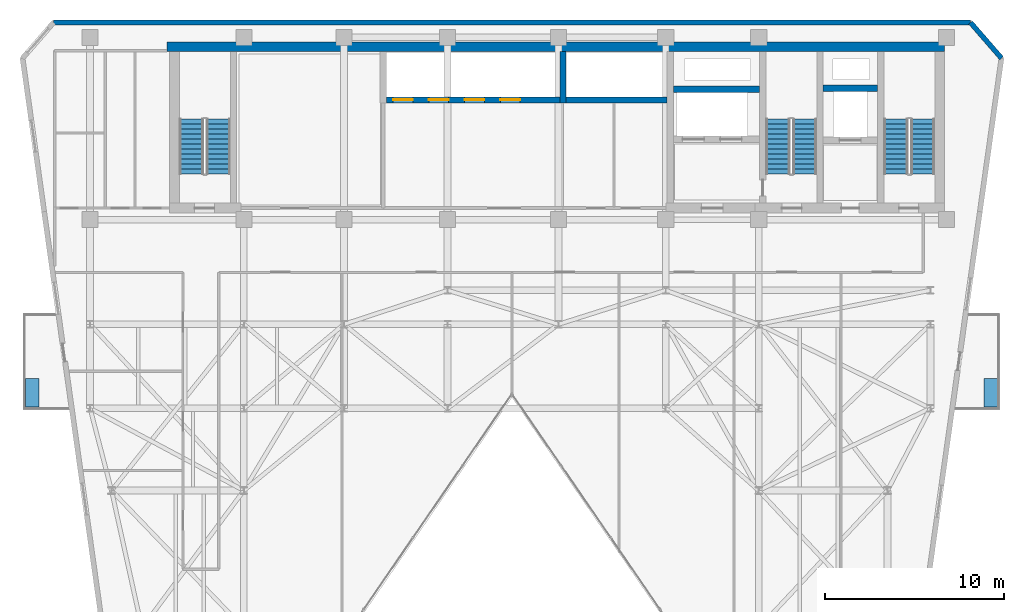
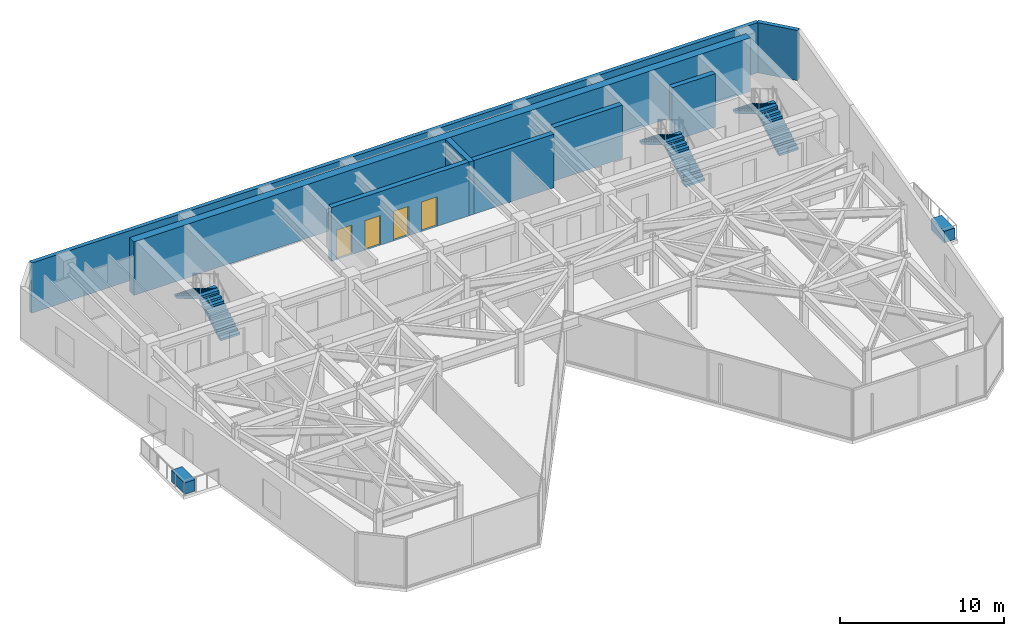
# One storey, part 18 of 21: 8 walls, 6 stair flights, 4 doors, 2 discrete accessories, 4 openings, 3 elements without a shape of their own.
"""IFC4 building model written with IfcOpenShell, lengths in metres."""

from ifc_helpers import new_model, si_unit, direction, frame, frame_2d, origin, origin_2d, place, context, subcontext, project, spatial, polyline, rectangle, outline, extrude, material, layer, layer_set, type_object, element, fill, aggregate, save


model = new_model("IFC4")

# Units and contexts
model_context = context("Model", 3, precision=1e-05, world=origin(), true_north=direction((0.0, 1.0)))
body_context = subcontext(model_context, "Body", "Model", "MODEL_VIEW")
ifc_project = project(units=[si_unit("LENGTHUNIT", "METRE"), si_unit("AREAUNIT", "SQUARE_METRE"), si_unit("VOLUMEUNIT", "CUBIC_METRE"), si_unit("PLANEANGLEUNIT", "RADIAN"), si_unit("MASSUNIT", "GRAM", prefix="KILO")], contexts=[model_context])

# Site, building, storey
site_placement = place(None, origin())
site = spatial("IfcSite", under=ifc_project, at=site_placement, CompositionType="ELEMENT")
building_placement = place(site_placement, origin())
building = spatial("IfcBuilding", under=site, at=building_placement, Name="Kravanh Interchange Tower", CompositionType="ELEMENT")
storey_placement = place(building_placement, frame((0.0, 0.0, 216.5)))
storey = spatial("IfcBuildingStorey", under=building, at=storey_placement, Name="L52", CompositionType="ELEMENT", Elevation=216.5)

# Walls
ifc_material_1 = material(Name="Concrete C60/75", Category="concrete")
ifc_layer_1 = layer(ifc_material_1, 0.35009765625)
ifc_layer_set_1 = layer_set([ifc_layer_1], Name="Core Shear Wall Concrete C60/75 350mm")
wall_type_1 = type_object("IfcWallType", Name="Core Shear Wall Concrete C60/75 350mm", PredefinedType="SHEAR", material=ifc_layer_set_1)
wall_1_placement = place(storey_placement, frame((59.60009765625, 44.699951171875, 0.0), z_axis=(0.0, 0.0, 1.0), x_axis=(1.0, 0.0, 0.0)))
element("IfcWall", 1, at=wall_1_placement, inside=storey, type_object=wall_type_1, Name="L52 Service Lift Shaft North Wall", PredefinedType="SHEAR", context=body_context, shape_type="SweptSolid", body=[
    extrude(rectangle(XDim=3.0498046875, YDim=0.35009765625, at=frame_2d((1.52490234375, 0.0))), origin(), (0.0, 0.0, 1.0), 4.0),
])
wall_2_placement = place(storey_placement, frame((51.22509765625, 44.64990234375, 0.0), z_axis=(0.0, 0.0, 1.0), x_axis=(1.0, 0.0, 0.0)))
element("IfcWall", 2, at=wall_2_placement, inside=storey, type_object=wall_type_1, Name="L52 Fire Lift Shaft North Wall", PredefinedType="SHEAR", context=body_context, shape_type="SweptSolid", body=[
    extrude(rectangle(XDim=4.824951171875, YDim=0.35009765625, at=frame_2d((2.41259765625, 0.0))), origin(), (0.0, 0.0, 1.0), 4.0),
])
wall_3_placement = place(storey_placement, frame((45.22509765625, 44.050048828125, 0.0), z_axis=(0.0, 0.0, 1.0), x_axis=(1.0, 0.0, 0.0)))
element("IfcWall", 3, at=wall_3_placement, inside=storey, type_object=wall_type_1, Name="L52 High-Rise Lift Shaft South Wall", PredefinedType="SHEAR", context=body_context, shape_type="SweptSolid", body=[
    extrude(rectangle(XDim=5.64990234375, YDim=0.35009765625, at=frame_2d((2.824951171875, 0.0))), origin(), (0.0, 0.0, 1.0), 4.0),
])
wall_4_placement = place(storey_placement, frame((45.050048828125, 43.875, 0.0), z_axis=(0.0, 0.0, 1.0), x_axis=(0.0, 1.0, 0.0)))
element("IfcWall", 4, at=wall_4_placement, inside=storey, type_object=wall_type_1, Name="L52 High-Rise Lift Shaft West Wall", PredefinedType="SHEAR", context=body_context, shape_type="SweptSolid", body=[
    extrude(rectangle(XDim=2.875, YDim=0.35009765625, at=frame_2d((1.4375, 0.0))), origin(), (0.0, 0.0, 1.0), 4.0),
])

# Wall, openings, doors
wall_5_placement = place(storey_placement, frame((35.175048828125, 44.050048828125, 0.0), z_axis=(0.0, 0.0, 1.0), x_axis=(1.0, 0.0, 0.0)))
wall_5 = element("IfcWall", 5, at=wall_5_placement, inside=storey, type_object=wall_type_1, Name="L52 Mid-Rise Lift Shaft South Wall", PredefinedType="SHEAR", context=body_context, shape_type="SweptSolid", body=[
    extrude(rectangle(XDim=9.699951171875, YDim=0.35009765625, at=frame_2d((4.85009765625, 0.0))), origin(), (0.0, 0.0, 1.0), 4.0),
])
opening_1_placement = place(wall_5_placement, frame((0.375, 0.0, 0.0)))
opening_1 = element("IfcOpeningElement", 6, at=opening_1_placement, cuts=wall_5, Name="Opening LD01", PredefinedType="OPENING", context=body_context, shape_type="SweptSolid", body=[
    extrude(rectangle(XDim=1.10009765625, YDim=2.199951171875, at=frame_2d((0.550048828125, 1.10009765625))), frame((0.0, 0.18505859375, 0.0), z_axis=(0.0, -1.0, 0.0), x_axis=(1.0, 0.0, 0.0)), (0.0, 0.0, 1.0), 0.3701171875),
])
opening_2_placement = place(wall_5_placement, frame((2.375, 0.0, 0.0)))
opening_2 = element("IfcOpeningElement", 7, at=opening_2_placement, cuts=wall_5, Name="Opening LD01", PredefinedType="OPENING", context=body_context, shape_type="SweptSolid", body=[
    extrude(rectangle(XDim=1.10009765625, YDim=2.199951171875, at=frame_2d((0.550048828125, 1.10009765625))), frame((0.0, 0.18505859375, 0.0), z_axis=(0.0, -1.0, 0.0), x_axis=(1.0, 0.0, 0.0)), (0.0, 0.0, 1.0), 0.3701171875),
])
opening_3_placement = place(wall_5_placement, frame((4.375, 0.0, 0.0)))
opening_3 = element("IfcOpeningElement", 8, at=opening_3_placement, cuts=wall_5, Name="Opening LD01", PredefinedType="OPENING", context=body_context, shape_type="SweptSolid", body=[
    extrude(rectangle(XDim=1.10009765625, YDim=2.199951171875, at=frame_2d((0.550048828125, 1.10009765625))), frame((0.0, 0.18505859375, 0.0), z_axis=(0.0, -1.0, 0.0), x_axis=(1.0, 0.0, 0.0)), (0.0, 0.0, 1.0), 0.3701171875),
])
opening_4_placement = place(wall_5_placement, frame((6.375, 0.0, 0.0)))
opening_4 = element("IfcOpeningElement", 9, at=opening_4_placement, cuts=wall_5, Name="Opening LD01", PredefinedType="OPENING", context=body_context, shape_type="SweptSolid", body=[
    extrude(rectangle(XDim=1.10009765625, YDim=2.199951171875, at=frame_2d((0.550048828125, 1.10009765625))), frame((0.0, 0.18505859375, 0.0), z_axis=(0.0, -1.0, 0.0), x_axis=(1.0, 0.0, 0.0)), (0.0, 0.0, 1.0), 0.3701171875),
])
ifc_material_2 = material(Name="Stainless Steel 304", Category="steel")
door_type = type_object("IfcDoorType", Name="Passenger Lift Sliding Landing Door 1100x2200", OperationType="DOUBLE_DOOR_SLIDING", PredefinedType="DOOR", material=ifc_material_2)
door_1_placement = place(opening_1_placement, origin())
door_1 = element("IfcDoor", 10, at=door_1_placement, inside=storey, type_object=door_type, Name="L52 Lift LP-M1 Landing Door", OperationType="DOUBLE_DOOR_SLIDING", OverallHeight=2.199951171875, OverallWidth=1.10009765625, PredefinedType="DOOR", context=body_context, shape_type="SweptSolid", body=[
    extrude(rectangle(XDim=1.10009765625, YDim=2.199951171875, at=frame_2d((0.550048828125, 1.10009765625))), frame((0.0, 0.02490234375, 0.0), z_axis=(0.0, -1.0, 0.0), x_axis=(1.0, 0.0, 0.0)), (0.0, 0.0, 1.0), 0.050048828125),
])
fill(opening_1, door_1)
door_2_placement = place(opening_2_placement, origin())
door_2 = element("IfcDoor", 11, at=door_2_placement, inside=storey, type_object=door_type, Name="L52 Lift LP-M2 Landing Door", OperationType="DOUBLE_DOOR_SLIDING", OverallHeight=2.199951171875, OverallWidth=1.10009765625, PredefinedType="DOOR", context=body_context, shape_type="SweptSolid", body=[
    extrude(rectangle(XDim=1.10009765625, YDim=2.199951171875, at=frame_2d((0.550048828125, 1.10009765625))), frame((0.0, 0.02490234375, 0.0), z_axis=(0.0, -1.0, 0.0), x_axis=(1.0, 0.0, 0.0)), (0.0, 0.0, 1.0), 0.050048828125),
])
fill(opening_2, door_2)
door_3_placement = place(opening_3_placement, origin())
door_3 = element("IfcDoor", 12, at=door_3_placement, inside=storey, type_object=door_type, Name="L52 Lift LP-M3 Landing Door", OperationType="DOUBLE_DOOR_SLIDING", OverallHeight=2.199951171875, OverallWidth=1.10009765625, PredefinedType="DOOR", context=body_context, shape_type="SweptSolid", body=[
    extrude(rectangle(XDim=1.10009765625, YDim=2.199951171875, at=frame_2d((0.550048828125, 1.10009765625))), frame((0.0, 0.02490234375, 0.0), z_axis=(0.0, -1.0, 0.0), x_axis=(1.0, 0.0, 0.0)), (0.0, 0.0, 1.0), 0.050048828125),
])
fill(opening_3, door_3)
door_4_placement = place(opening_4_placement, origin())
door_4 = element("IfcDoor", 13, at=door_4_placement, inside=storey, type_object=door_type, Name="L52 Lift LP-M4 Landing Door", OperationType="DOUBLE_DOOR_SLIDING", OverallHeight=2.199951171875, OverallWidth=1.10009765625, PredefinedType="DOOR", context=body_context, shape_type="SweptSolid", body=[
    extrude(rectangle(XDim=1.10009765625, YDim=2.199951171875, at=frame_2d((0.550048828125, 1.10009765625))), frame((0.0, 0.02490234375, 0.0), z_axis=(0.0, -1.0, 0.0), x_axis=(1.0, 0.0, 0.0)), (0.0, 0.0, 1.0), 0.050048828125),
])
fill(opening_4, door_4)

# Walls
ifc_material_3 = material(Name="Concrete C70/85", Category="concrete")
ifc_layer_2 = layer(ifc_material_3, 0.550048828125)
ifc_layer_set_2 = layer_set([ifc_layer_2], Name="Core Shear Wall Concrete C70/85 550mm")
wall_type_2 = type_object("IfcWallType", Name="Core Shear Wall Concrete C70/85 550mm", PredefinedType="SHEAR", material=ifc_layer_set_2)
wall_6_placement = place(storey_placement, frame((22.89990234375, 47.02490234375, 0.0), z_axis=(0.0, 0.0, 1.0), x_axis=(1.0, 0.0, 0.0)))
element("IfcWall", 14, at=wall_6_placement, inside=storey, type_object=wall_type_2, Name="L52 North Core Shear Wall", PredefinedType="SHEAR", context=body_context, shape_type="SweptSolid", body=[
    extrude(rectangle(XDim=43.5, YDim=0.550048828125, at=frame_2d((21.75, 0.0))), origin(), (0.0, 0.0, 1.0), 4.0),
])
ifc_material_4 = material(Name="Insulated Precast Concrete C40/50 with Bronze Cladding", Category="concrete")
ifc_layer_3 = layer(ifc_material_4, 0.280029296875)
ifc_layer_set_3 = layer_set([ifc_layer_3], Name="Exterior Insulated Concrete C40/50 Bronze Spandrel Wall 280mm")
wall_type_3 = type_object("IfcWallType", Name="Exterior Insulated Concrete C40/50 Bronze Spandrel Wall 280mm", PredefinedType="STANDARD", material=ifc_layer_set_3)
wall_7_placement = place(storey_placement, frame((16.5546875, 48.3798828125, 0.0), z_axis=(0.0, 0.0, 1.0), x_axis=(1.0, 0.0, 0.0)))
element("IfcWall", 15, at=wall_7_placement, inside=storey, type_object=wall_type_3, Name="L52 Exterior Wall 4", PredefinedType="STANDARD", context=body_context, shape_type="SweptSolid", body=[
    extrude(rectangle(XDim=51.29052734375, YDim=0.280029296875, at=frame_2d((25.645263671875, 0.0))), origin(), (0.0, 0.0, 1.0), 3.7451171875),
])
wall_8_placement = place(storey_placement, frame((67.84521484375, 48.3798828125, 0.0), z_axis=(0.0, 0.0, 1.0), x_axis=(0.656071351282, -0.754698868442, 0.0)))
element("IfcWall", 16, at=wall_8_placement, inside=storey, type_object=wall_type_3, Name="L52 Exterior Wall 5", PredefinedType="STANDARD", context=body_context, shape_type="SweptSolid", body=[
    extrude(rectangle(XDim=2.646240234375, YDim=0.280029296875, at=frame_2d((1.3232421875, 0.0))), origin(), (0.0, 0.0, 1.0), 3.7451171875),
])

# Stair, stair flights
ifc_material_5 = material(Name="Concrete C50/60", Category="concrete")
stair_type = type_object("IfcStairType", Name="Core Fire Exit Dogleg Stair Concrete C50/60", PredefinedType="HALF_TURN_STAIR", material=ifc_material_5)
stair_1_placement = place(storey_placement, origin())
stair_1 = element("IfcStair", 17, at=stair_1_placement, inside=storey, type_object=stair_type, Name="L52 Exit Stair ST1", PredefinedType="HALF_TURN_STAIR")
ifc_material_6 = material(Name="Precast Concrete C50/60", Category="concrete")
ifc_layer_4 = layer(ifc_material_6, 0.199951171875)
ifc_layer_set_4 = layer_set([ifc_layer_4], Name="Precast Concrete C50/60 Stair Flight 1350mm")
stair_flight_type = type_object("IfcStairFlightType", Name="Precast Concrete C50/60 Stair Flight 1350mm", PredefinedType="STRAIGHT", material=ifc_layer_set_4)
stair_flight_1_placement = place(storey_placement, frame((65.175048828125, 39.89990234375, 0.0), z_axis=(0.0, 0.0, 1.0), x_axis=(0.0, 1.0, 0.0)))
stair_flight_1 = element("IfcStairFlight", 18, at=stair_flight_1_placement, type_object=stair_flight_type, Name="ST1 flight 1", NumberOfRisers=12, NumberOfTreads=11, PredefinedType="STRAIGHT", RiserHeight=0.166666667, TreadLength=0.28, context=body_context, shape_type="SweptSolid", body=[
    extrude(outline(polyline([(0.0, 0.0), (0.0, 0.166748046875), (0.280029296875, 0.166748046875), (0.280029296875, 0.333251953125), (0.56005859375, 0.333251953125), (0.56005859375, 0.5), (0.840087890625, 0.5), (0.840087890625, 0.666748046875), (1.1201171875, 0.666748046875), (1.1201171875, 0.833251953125), (1.39990234375, 0.833251953125), (1.39990234375, 1.0), (1.679931640625, 1.0), (1.679931640625, 1.166748046875), (1.9599609375, 1.166748046875), (1.9599609375, 1.333251953125), (2.239990234375, 1.333251953125), (2.239990234375, 1.5), (2.52001953125, 1.5), (2.52001953125, 1.666748046875), (2.800048828125, 1.666748046875), (2.800048828125, 1.833251953125), (3.080078125, 1.833251953125), (3.080078125, 2.0), (3.080078125, 1.658935546875), (0.29296875, 0.0), (0.0, 0.0)])), frame((0.0, 0.675048828125, 0.0), z_axis=(0.0, -1.0, 0.0), x_axis=(1.0, 0.0, 0.0)), (0.0, 0.0, 1.0), 1.35009765625),
])
stair_flight_2_placement = place(storey_placement, frame((63.675048828125, 42.97998046875, 2.0), z_axis=(0.0, 0.0, 1.0), x_axis=(0.0, -1.0, 0.0)))
stair_flight_2 = element("IfcStairFlight", 19, at=stair_flight_2_placement, type_object=stair_flight_type, Name="ST1 flight 2", NumberOfRisers=12, NumberOfTreads=11, PredefinedType="STRAIGHT", RiserHeight=0.166666667, TreadLength=0.28, context=body_context, shape_type="SweptSolid", body=[
    extrude(outline(polyline([(0.0, 0.0), (0.0, 0.166748046875), (0.280029296875, 0.166748046875), (0.280029296875, 0.333251953125), (0.56005859375, 0.333251953125), (0.56005859375, 0.5), (0.840087890625, 0.5), (0.840087890625, 0.666748046875), (1.1201171875, 0.666748046875), (1.1201171875, 0.833251953125), (1.39990234375, 0.833251953125), (1.39990234375, 1.0), (1.679931640625, 1.0), (1.679931640625, 1.166748046875), (1.9599609375, 1.166748046875), (1.9599609375, 1.333251953125), (2.239990234375, 1.333251953125), (2.239990234375, 1.5), (2.52001953125, 1.5), (2.52001953125, 1.666748046875), (2.800048828125, 1.666748046875), (2.800048828125, 1.833251953125), (3.080078125, 1.833251953125), (3.080078125, 2.0), (3.080078125, 1.658935546875), (0.29296875, 0.0), (0.0, 0.0)])), frame((0.0, 0.675048828125, 0.0), z_axis=(0.0, -1.0, 0.0), x_axis=(1.0, 0.0, 0.0)), (0.0, 0.0, 1.0), 1.35009765625),
])
aggregate(stair_1, [stair_flight_1, stair_flight_2])

stair_2_placement = place(storey_placement, origin())
stair_2 = element("IfcStair", 20, at=stair_2_placement, inside=storey, type_object=stair_type, Name="L52 Exit Stair ST2", PredefinedType="HALF_TURN_STAIR")
stair_flight_3_placement = place(storey_placement, frame((58.574951171875, 39.89990234375, 0.0), z_axis=(0.0, 0.0, 1.0), x_axis=(0.0, 1.0, 0.0)))
stair_flight_3 = element("IfcStairFlight", 21, at=stair_flight_3_placement, type_object=stair_flight_type, Name="ST2 flight 1", NumberOfRisers=12, NumberOfTreads=11, PredefinedType="STRAIGHT", RiserHeight=0.166666667, TreadLength=0.28, context=body_context, shape_type="SweptSolid", body=[
    extrude(outline(polyline([(0.0, 0.0), (0.0, 0.166748046875), (0.280029296875, 0.166748046875), (0.280029296875, 0.333251953125), (0.56005859375, 0.333251953125), (0.56005859375, 0.5), (0.840087890625, 0.5), (0.840087890625, 0.666748046875), (1.1201171875, 0.666748046875), (1.1201171875, 0.833251953125), (1.39990234375, 0.833251953125), (1.39990234375, 1.0), (1.679931640625, 1.0), (1.679931640625, 1.166748046875), (1.9599609375, 1.166748046875), (1.9599609375, 1.333251953125), (2.239990234375, 1.333251953125), (2.239990234375, 1.5), (2.52001953125, 1.5), (2.52001953125, 1.666748046875), (2.800048828125, 1.666748046875), (2.800048828125, 1.833251953125), (3.080078125, 1.833251953125), (3.080078125, 2.0), (3.080078125, 1.658935546875), (0.29296875, 0.0), (0.0, 0.0)])), frame((0.0, 0.675048828125, 0.0), z_axis=(0.0, -1.0, 0.0), x_axis=(1.0, 0.0, 0.0)), (0.0, 0.0, 1.0), 1.35009765625),
])
stair_flight_4_placement = place(storey_placement, frame((57.074951171875, 42.97998046875, 2.0), z_axis=(0.0, 0.0, 1.0), x_axis=(0.0, -1.0, 0.0)))
stair_flight_4 = element("IfcStairFlight", 22, at=stair_flight_4_placement, type_object=stair_flight_type, Name="ST2 flight 2", NumberOfRisers=12, NumberOfTreads=11, PredefinedType="STRAIGHT", RiserHeight=0.166666667, TreadLength=0.28, context=body_context, shape_type="SweptSolid", body=[
    extrude(outline(polyline([(0.0, 0.0), (0.0, 0.166748046875), (0.280029296875, 0.166748046875), (0.280029296875, 0.333251953125), (0.56005859375, 0.333251953125), (0.56005859375, 0.5), (0.840087890625, 0.5), (0.840087890625, 0.666748046875), (1.1201171875, 0.666748046875), (1.1201171875, 0.833251953125), (1.39990234375, 0.833251953125), (1.39990234375, 1.0), (1.679931640625, 1.0), (1.679931640625, 1.166748046875), (1.9599609375, 1.166748046875), (1.9599609375, 1.333251953125), (2.239990234375, 1.333251953125), (2.239990234375, 1.5), (2.52001953125, 1.5), (2.52001953125, 1.666748046875), (2.800048828125, 1.666748046875), (2.800048828125, 1.833251953125), (3.080078125, 1.833251953125), (3.080078125, 2.0), (3.080078125, 1.658935546875), (0.29296875, 0.0), (0.0, 0.0)])), frame((0.0, 0.675048828125, 0.0), z_axis=(0.0, -1.0, 0.0), x_axis=(1.0, 0.0, 0.0)), (0.0, 0.0, 1.0), 1.35009765625),
])
aggregate(stair_2, [stair_flight_3, stair_flight_4])

stair_3_placement = place(storey_placement, origin())
stair_3 = element("IfcStair", 23, at=stair_3_placement, inside=storey, type_object=stair_type, Name="L52 Exit Stair ST3", PredefinedType="HALF_TURN_STAIR")
stair_flight_5_placement = place(storey_placement, frame((25.77490234375, 39.89990234375, 0.0), z_axis=(0.0, 0.0, 1.0), x_axis=(0.0, 1.0, 0.0)))
stair_flight_5 = element("IfcStairFlight", 24, at=stair_flight_5_placement, type_object=stair_flight_type, Name="ST3 flight 1", NumberOfRisers=12, NumberOfTreads=11, PredefinedType="STRAIGHT", RiserHeight=0.166666667, TreadLength=0.28, context=body_context, shape_type="SweptSolid", body=[
    extrude(outline(polyline([(0.0, 0.0), (0.0, 0.166748046875), (0.280029296875, 0.166748046875), (0.280029296875, 0.333251953125), (0.56005859375, 0.333251953125), (0.56005859375, 0.5), (0.840087890625, 0.5), (0.840087890625, 0.666748046875), (1.1201171875, 0.666748046875), (1.1201171875, 0.833251953125), (1.39990234375, 0.833251953125), (1.39990234375, 1.0), (1.679931640625, 1.0), (1.679931640625, 1.166748046875), (1.9599609375, 1.166748046875), (1.9599609375, 1.333251953125), (2.239990234375, 1.333251953125), (2.239990234375, 1.5), (2.52001953125, 1.5), (2.52001953125, 1.666748046875), (2.800048828125, 1.666748046875), (2.800048828125, 1.833251953125), (3.080078125, 1.833251953125), (3.080078125, 2.0), (3.080078125, 1.658935546875), (0.29296875, 0.0), (0.0, 0.0)])), frame((0.0, 0.675048828125, 0.0), z_axis=(0.0, -1.0, 0.0), x_axis=(1.0, 0.0, 0.0)), (0.0, 0.0, 1.0), 1.35009765625),
])
stair_flight_6_placement = place(storey_placement, frame((24.27490234375, 42.97998046875, 2.0), z_axis=(0.0, 0.0, 1.0), x_axis=(0.0, -1.0, 0.0)))
stair_flight_6 = element("IfcStairFlight", 25, at=stair_flight_6_placement, type_object=stair_flight_type, Name="ST3 flight 2", NumberOfRisers=12, NumberOfTreads=11, PredefinedType="STRAIGHT", RiserHeight=0.166666667, TreadLength=0.28, context=body_context, shape_type="SweptSolid", body=[
    extrude(outline(polyline([(0.0, 0.0), (0.0, 0.166748046875), (0.280029296875, 0.166748046875), (0.280029296875, 0.333251953125), (0.56005859375, 0.333251953125), (0.56005859375, 0.5), (0.840087890625, 0.5), (0.840087890625, 0.666748046875), (1.1201171875, 0.666748046875), (1.1201171875, 0.833251953125), (1.39990234375, 0.833251953125), (1.39990234375, 1.0), (1.679931640625, 1.0), (1.679931640625, 1.166748046875), (1.9599609375, 1.166748046875), (1.9599609375, 1.333251953125), (2.239990234375, 1.333251953125), (2.239990234375, 1.5), (2.52001953125, 1.5), (2.52001953125, 1.666748046875), (2.800048828125, 1.666748046875), (2.800048828125, 1.833251953125), (3.080078125, 1.833251953125), (3.080078125, 2.0), (3.080078125, 1.658935546875), (0.29296875, 0.0), (0.0, 0.0)])), frame((0.0, 0.675048828125, 0.0), z_axis=(0.0, -1.0, 0.0), x_axis=(1.0, 0.0, 0.0)), (0.0, 0.0, 1.0), 1.35009765625),
])
aggregate(stair_3, [stair_flight_5, stair_flight_6])

# Discrete accessories
ifc_material_7 = material(Name="Architectural GRC Concrete C40/50 with Root Barrier", Category="concrete")
discrete_accessory_type = type_object("IfcDiscreteAccessoryType", Name="Structural Balcony Tree Planter Box Concrete C40/50 1600x750x850", PredefinedType="USERDEFINED", material=ifc_material_7)
for number, where, z_axis, x_axis, name in (
    (26, (68.969970703125, 27.659912109375, 0.0), (0.0, 0.0, 1.0), (1.0, 0.0, 0.0), "L52 E Balcony TREE PLANTER"),
    (27, (15.373046875, 27.659912109375, 0.0), (0.0, 0.0, 1.0), (1.0, 0.0, 0.0), "L52 W Balcony TREE PLANTER"),
):
    element("IfcDiscreteAccessory", number, at=place(storey_placement, frame(where, z_axis=z_axis, x_axis=x_axis)), inside=storey, type_object=discrete_accessory_type, Name=name, ObjectType="PLANTER", PredefinedType="USERDEFINED", context=body_context, shape_type="SweptSolid", body=[
        extrude(rectangle(XDim=0.75, YDim=1.60009765625, at=origin_2d()), origin(), (0.0, 0.0, 1.0), 0.85009765625),
    ])

save(model, "model.ifc")
